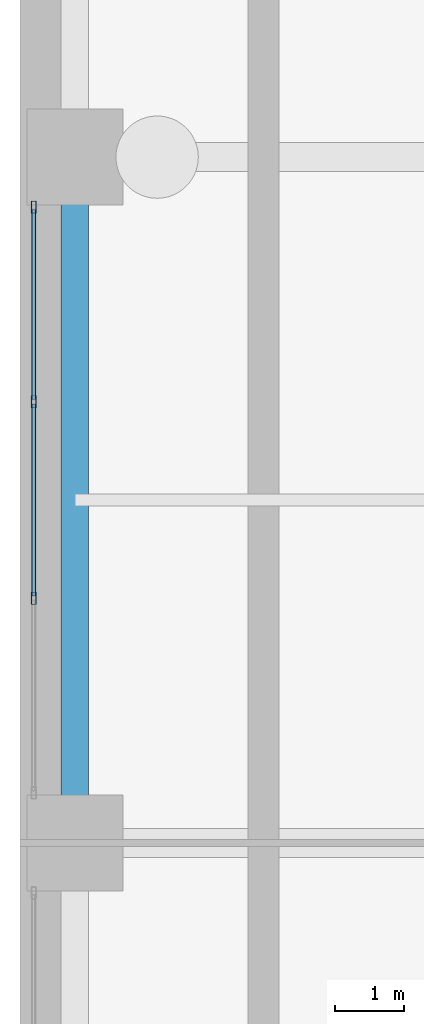
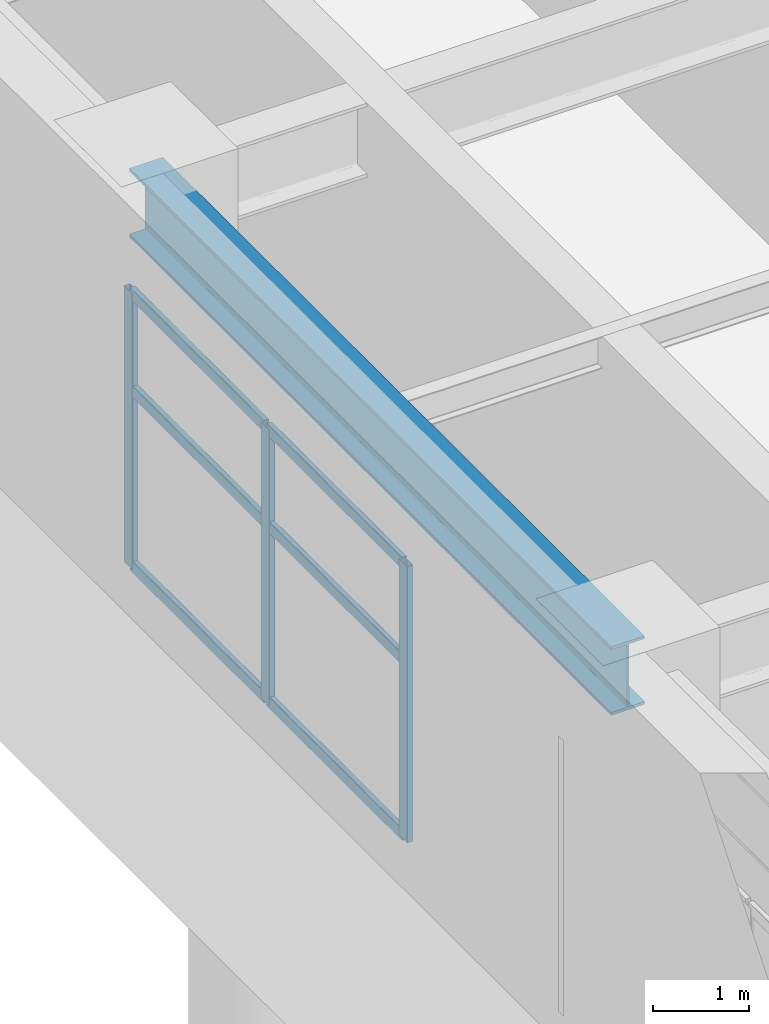
# One storey, part 10 of 25: 9 members, 1 beam, 1 element without a shape of its own.
"""IFC4 building model written with IfcOpenShell, lengths in metres."""

from ifc_helpers import new_model, si_unit, direction, frame, origin, origin_2d, place, context, subcontext, project, spatial, hollow_rectangle, i_section, extrude, material, layer, layer_set, material_profile, profile_set, type_object, element, aggregate, save


model = new_model("IFC4")

# Units and contexts
model_context = context("Model", 3, precision=1e-05, world=origin(), true_north=direction((0.0, 1.0)))
body_context = subcontext(model_context, "Body", "Model", "MODEL_VIEW")
ifc_project = project(units=[si_unit("LENGTHUNIT", "METRE"), si_unit("AREAUNIT", "SQUARE_METRE"), si_unit("VOLUMEUNIT", "CUBIC_METRE"), si_unit("PLANEANGLEUNIT", "RADIAN"), si_unit("MASSUNIT", "GRAM", prefix="KILO")], contexts=[model_context])

# Site, building, storey
site_placement = place(None, origin())
site = spatial("IfcSite", under=ifc_project, at=site_placement, CompositionType="ELEMENT")
building_placement = place(site_placement, origin())
building = spatial("IfcBuilding", under=site, at=building_placement, Name="Soratama Intermodal Tower", CompositionType="ELEMENT")
storey_placement = place(building_placement, frame((0.0, 0.0, -10.199951171875)))
storey = spatial("IfcBuildingStorey", under=building, at=storey_placement, Name="B2", CompositionType="ELEMENT", Elevation=-10.199951171875)

# Beam
ifc_material_1 = material(Name="Structural steel ASTM A992 Grade 50", Category="steel")
ifc_material_profile_1 = material_profile(ifc_material_1, i_section(OverallWidth=0.403076171875, OverallDepth=0.867919921875, WebThickness=0.02099609375, FlangeThickness=0.03564453125, FilletRadius=0.01806640625, at=origin_2d()), Name="W33X241")
ifc_profile_set_1 = profile_set([ifc_material_profile_1], Name="Structural steel ASTM A992 Grade 50")
beam_type = type_object("IfcBeamType", Name="BM-POD-EXT-W33", PredefinedType="BEAM", material=ifc_profile_set_1)
beam_placement = place(storey_placement, frame((0.800048828125, 25.0, 4.005859375), z_axis=(0.0, 1.0, 0.0), x_axis=(-1.0, 0.0, 0.0)))
element("IfcBeam", 1, at=beam_placement, inside=storey, type_object=beam_type, Name="B2 Station Girder Y1-3", PredefinedType="BEAM", context=body_context, shape_type="SweptSolid", body=[
    extrude(i_section(OverallWidth=0.403076171875, OverallDepth=0.867919921875, WebThickness=0.02099609375, FlangeThickness=0.03564453125, FilletRadius=0.01806640625, at=origin_2d()), origin(), (0.0, 0.0, 1.0), 10.0),
])

# Curtain wall, members
ifc_material_2 = material(Name="Double-glazed aluminium curtain wall", Category="aluminium")
ifc_layer = layer(ifc_material_2, 0.159912109375)
ifc_layer_set = layer_set([ifc_layer], Name="Double-glazed aluminium curtain wall")
curtain_wall_type = type_object("IfcCurtainWallType", Name="CW-SYS-1", PredefinedType="NOTDEFINED", material=ifc_layer_set)
curtain_wall_placement = place(storey_placement, origin())
curtain_wall = element("IfcCurtainWall", 2, at=curtain_wall_placement, inside=storey, type_object=curtain_wall_type, Name="B2 Station Curtain Wall W2", PredefinedType="NOTDEFINED")
ifc_material_3 = material(Name="Anodised aluminium AA 6063-T6", Category="aluminium")
ifc_material_profile_2 = material_profile(ifc_material_3, hollow_rectangle(XDim=0.074951171875, YDim=0.179931640625, WallThickness=0.006103515625, InnerFilletRadius=0.006103515625, OuterFilletRadius=0.011962890625, at=origin_2d()), Name="CWM180X75X6")
ifc_profile_set_2 = profile_set([ifc_material_profile_2], Name="Anodised aluminium AA 6063-T6")
member_type_1 = type_object("IfcMemberType", Name="MT-CWM-1", PredefinedType="MULLION", material=ifc_profile_set_2)
member_1_placement = place(storey_placement, frame((0.199951171875, 28.566650390625, 0.0), z_axis=(0.0, 0.0, 1.0), x_axis=(-1.0, 0.0, 0.0)))
member_1 = element("IfcMember", 3, at=member_1_placement, type_object=member_type_1, Name="CW-1 mullion 2", PredefinedType="MULLION", context=body_context, shape_type="SweptSolid", body=[
    extrude(hollow_rectangle(XDim=0.074951171875, YDim=0.179931640625, WallThickness=0.006103515625, InnerFilletRadius=0.006103515625, OuterFilletRadius=0.011962890625, at=origin_2d()), origin(), (0.0, 0.0, 1.0), 3.495849609375),
])
member_2_placement = place(storey_placement, frame((0.199951171875, 31.433349609375, 0.0), z_axis=(0.0, 0.0, 1.0), x_axis=(-1.0, 0.0, 0.0)))
member_2 = element("IfcMember", 4, at=member_2_placement, type_object=member_type_1, Name="CW-1 mullion 3", PredefinedType="MULLION", context=body_context, shape_type="SweptSolid", body=[
    extrude(hollow_rectangle(XDim=0.074951171875, YDim=0.179931640625, WallThickness=0.006103515625, InnerFilletRadius=0.006103515625, OuterFilletRadius=0.011962890625, at=origin_2d()), origin(), (0.0, 0.0, 1.0), 3.495849609375),
])
member_3_placement = place(storey_placement, frame((0.199951171875, 34.27001953125, 0.0), z_axis=(0.0, 0.0, 1.0), x_axis=(-1.0, 0.0, 0.0)))
member_3 = element("IfcMember", 5, at=member_3_placement, type_object=member_type_1, Name="CW-1 mullion 4", PredefinedType="MULLION", context=body_context, shape_type="SweptSolid", body=[
    extrude(hollow_rectangle(XDim=0.074951171875, YDim=0.179931640625, WallThickness=0.006103515625, InnerFilletRadius=0.006103515625, OuterFilletRadius=0.011962890625, at=origin_2d()), origin(), (0.0, 0.0, 1.0), 3.495849609375),
])
ifc_material_4 = material(Name="Anodised aluminium AA 6063-T6", Category="aluminium")
ifc_material_profile_3 = material_profile(ifc_material_4, hollow_rectangle(XDim=0.06494140625, YDim=0.14990234375, WallThickness=0.0048828125, InnerFilletRadius=0.0048828125, OuterFilletRadius=0.010009765625, at=origin_2d()), Name="CWT150X65X5")
ifc_profile_set_3 = profile_set([ifc_material_profile_3], Name="Anodised aluminium AA 6063-T6")
member_type_2 = type_object("IfcMemberType", Name="TT-CWT-1", PredefinedType="USERDEFINED", material=ifc_profile_set_3)
member_4_placement = place(storey_placement, frame((0.199951171875, 28.5966796875, 0.030029296875), z_axis=(0.0, 1.0, 0.0), x_axis=(-1.0, 0.0, 0.0)))
member_4 = element("IfcMember", 6, at=member_4_placement, type_object=member_type_2, Name="CW-1 transom 2.1", ObjectType="TRANSOM", PredefinedType="USERDEFINED", context=body_context, shape_type="SweptSolid", body=[
    extrude(hollow_rectangle(XDim=0.06494140625, YDim=0.14990234375, WallThickness=0.0048828125, InnerFilletRadius=0.0048828125, OuterFilletRadius=0.010009765625, at=origin_2d()), origin(), (0.0, 0.0, 1.0), 2.806640625),
])
member_5_placement = place(storey_placement, frame((0.199951171875, 28.5966796875, 2.25), z_axis=(0.0, 1.0, 0.0), x_axis=(-1.0, 0.0, 0.0)))
member_5 = element("IfcMember", 7, at=member_5_placement, type_object=member_type_2, Name="CW-1 transom 2.2", ObjectType="TRANSOM", PredefinedType="USERDEFINED", context=body_context, shape_type="SweptSolid", body=[
    extrude(hollow_rectangle(XDim=0.06494140625, YDim=0.14990234375, WallThickness=0.0048828125, InnerFilletRadius=0.0048828125, OuterFilletRadius=0.010009765625, at=origin_2d()), origin(), (0.0, 0.0, 1.0), 2.806640625),
])
member_6_placement = place(storey_placement, frame((0.199951171875, 28.5966796875, 3.466064453125), z_axis=(0.0, 1.0, 0.0), x_axis=(-1.0, 0.0, 0.0)))
member_6 = element("IfcMember", 8, at=member_6_placement, type_object=member_type_2, Name="CW-1 transom 2.3", ObjectType="TRANSOM", PredefinedType="USERDEFINED", context=body_context, shape_type="SweptSolid", body=[
    extrude(hollow_rectangle(XDim=0.06494140625, YDim=0.14990234375, WallThickness=0.0048828125, InnerFilletRadius=0.0048828125, OuterFilletRadius=0.010009765625, at=origin_2d()), origin(), (0.0, 0.0, 1.0), 2.806640625),
])
member_7_placement = place(storey_placement, frame((0.199951171875, 31.46337890625, 0.030029296875), z_axis=(0.0, 1.0, 0.0), x_axis=(-1.0, 0.0, 0.0)))
member_7 = element("IfcMember", 9, at=member_7_placement, type_object=member_type_2, Name="CW-1 transom 3.1", ObjectType="TRANSOM", PredefinedType="USERDEFINED", context=body_context, shape_type="SweptSolid", body=[
    extrude(hollow_rectangle(XDim=0.06494140625, YDim=0.14990234375, WallThickness=0.0048828125, InnerFilletRadius=0.0048828125, OuterFilletRadius=0.010009765625, at=origin_2d()), origin(), (0.0, 0.0, 1.0), 2.776611328125),
])
member_8_placement = place(storey_placement, frame((0.199951171875, 31.46337890625, 2.25), z_axis=(0.0, 1.0, 0.0), x_axis=(-1.0, 0.0, 0.0)))
member_8 = element("IfcMember", 10, at=member_8_placement, type_object=member_type_2, Name="CW-1 transom 3.2", ObjectType="TRANSOM", PredefinedType="USERDEFINED", context=body_context, shape_type="SweptSolid", body=[
    extrude(hollow_rectangle(XDim=0.06494140625, YDim=0.14990234375, WallThickness=0.0048828125, InnerFilletRadius=0.0048828125, OuterFilletRadius=0.010009765625, at=origin_2d()), origin(), (0.0, 0.0, 1.0), 2.776611328125),
])
member_9_placement = place(storey_placement, frame((0.199951171875, 31.46337890625, 3.466064453125), z_axis=(0.0, 1.0, 0.0), x_axis=(-1.0, 0.0, 0.0)))
member_9 = element("IfcMember", 11, at=member_9_placement, type_object=member_type_2, Name="CW-1 transom 3.3", ObjectType="TRANSOM", PredefinedType="USERDEFINED", context=body_context, shape_type="SweptSolid", body=[
    extrude(hollow_rectangle(XDim=0.06494140625, YDim=0.14990234375, WallThickness=0.0048828125, InnerFilletRadius=0.0048828125, OuterFilletRadius=0.010009765625, at=origin_2d()), origin(), (0.0, 0.0, 1.0), 2.776611328125),
])
aggregate(curtain_wall, [member_1, member_2, member_3, member_4, member_5, member_6, member_7, member_8, member_9])

save(model, "model.ifc")
